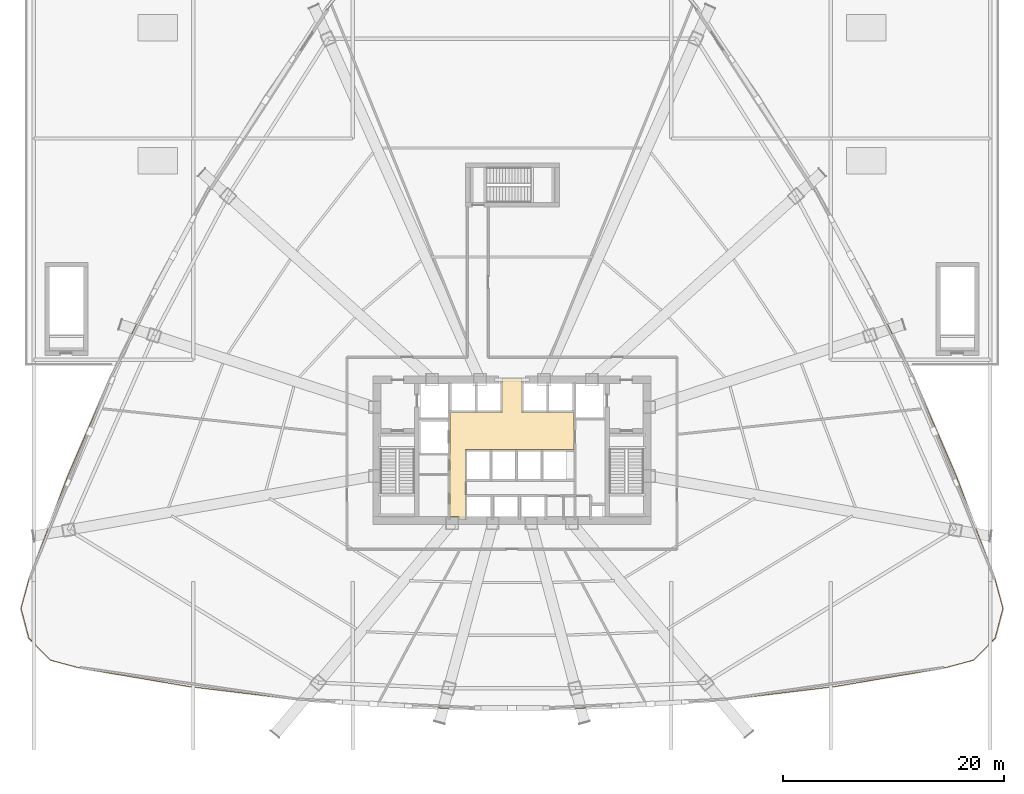
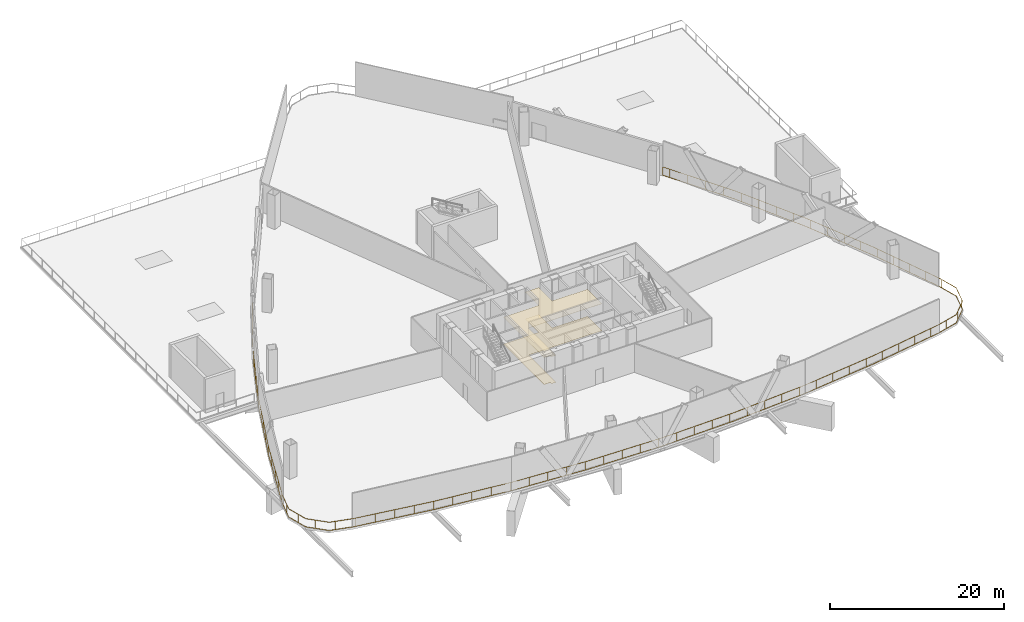
# One storey, part 14 of 18: 2 coverings, 1 railing.
"""IFC4 building model written with IfcOpenShell, lengths in metres."""

import ifcopenshell
import ifcopenshell.guid

model = None  # the IFC model being written
_history = None  # IfcOwnerHistory: only IFC2X3 demands one
_inside = {}  # id of a spatial element -> (the spatial element, [elements in it])
_under = {}  # id of a project, library or spatial element -> (it, [spatial elements below it])
_declared = {}  # id of a project -> (the project, [libraries it declares])
_typed = {}  # id of a type object -> (the type object, [elements of that type])
_made_of = {}  # id of a material, layer set ... -> (it, [elements and type objects made of it])


def new_model(schema):
    """Start an empty IFC model of exactly this schema.

    Asked for "IFC4X3", IfcOpenShell would pick the latest addendum, in which some entities
    have other attributes; the version numbers below select the first issue.
    IFC2X3 requires an IfcOwnerHistory on every rooted entity: one is made here for all.
    """
    global model, _history
    if schema == "IFC4X3":
        model = ifcopenshell.file(schema_version=(4, 3, 0, 0))
    else:
        model = ifcopenshell.file(schema=schema)
    _inside.clear()
    _under.clear()
    _declared.clear()
    _typed.clear()
    _made_of.clear()
    _history = None
    if model.schema == "IFC2X3":
        org = make("IfcOrganization", Name="unknown")
        user = make(
            "IfcPersonAndOrganization",
            ThePerson=make("IfcPerson", FamilyName="unknown"),
            TheOrganization=org,
        )
        app = make(
            "IfcApplication",
            ApplicationDeveloper=org,
            Version="unknown",
            ApplicationFullName="unknown",
            ApplicationIdentifier="unknown",
        )
        _history = make(
            "IfcOwnerHistory",
            OwningUser=user,
            OwningApplication=app,
            ChangeAction="ADDED",
            CreationDate=0,
        )
    return model


def make(cls, **values):
    """One entity of the class cls with the attributes given. An attribute that is None is left unset."""
    return model.create_entity(
        cls, **{name: value for name, value in values.items() if value is not None}
    )


def rooted(cls, **values):
    """An entity with a GlobalId (a new one), such as an element, a storey or a relation."""
    return make(cls, GlobalId=ifcopenshell.guid.new(), OwnerHistory=_history, **values)


def si_unit(unit_type, name, prefix=None):
    """IfcSIUnit, for example si_unit("LENGTHUNIT", "METRE", prefix="MILLI")."""
    return make("IfcSIUnit", UnitType=unit_type, Prefix=prefix, Name=name)


def assignment(units):
    """IfcUnitAssignment: the units of a project."""
    return None if units is None else make("IfcUnitAssignment", Units=units)


def point(xyz):
    """IfcCartesianPoint."""
    return None if xyz is None else make("IfcCartesianPoint", Coordinates=xyz)


def direction(xyz):
    """IfcDirection."""
    return None if xyz is None else make("IfcDirection", DirectionRatios=xyz)


def frame(location, z_axis=None, x_axis=None):
    """IfcAxis2Placement3D, a coordinate frame: its origin and axes. An axis left out is left unset."""
    return make(
        "IfcAxis2Placement3D",
        Location=point(location),
        Axis=direction(z_axis),
        RefDirection=direction(x_axis),
    )


def frame_2d(location, x_axis=None):
    """IfcAxis2Placement2D, a coordinate frame in the plane: its origin and x axis."""
    return make(
        "IfcAxis2Placement2D", Location=point(location), RefDirection=direction(x_axis)
    )


def origin():
    """The frame at (0, 0, 0) with its axes left unset."""
    return frame((0.0, 0.0, 0.0))


def origin_2d():
    """The frame at (0, 0) in the plane with its x axis left unset."""
    return frame_2d((0.0, 0.0))


def place(relative_to, where):
    """IfcLocalPlacement: puts the frame where relative to a parent placement (None: the world)."""
    return make(
        "IfcLocalPlacement", PlacementRelTo=relative_to, RelativePlacement=where
    )


def context(
    kind, dimensions, precision=None, world=None, true_north=None, identifier=None
):
    """IfcGeometricRepresentationContext, for example the 3D "Model" context."""
    return make(
        "IfcGeometricRepresentationContext",
        ContextIdentifier=identifier,
        ContextType=kind,
        CoordinateSpaceDimension=dimensions,
        Precision=precision,
        WorldCoordinateSystem=world,
        TrueNorth=true_north,
    )


def subcontext(parent, identifier, kind, view, scale=None):
    """IfcGeometricRepresentationSubContext, for example "Body" below "Model"."""
    return make(
        "IfcGeometricRepresentationSubContext",
        ContextIdentifier=identifier,
        ContextType=kind,
        ParentContext=parent,
        TargetScale=scale,
        TargetView=view,
    )


def project(units=None, contexts=None):
    """IfcProject with its units and contexts."""
    return rooted(
        "IfcProject",
        Name="project",
        RepresentationContexts=contexts,
        UnitsInContext=assignment(units),
    )


def spatial(cls, under=None, at=None, **own):
    """A site, building, storey or space (cls), placed at a placement, below another one or the project."""
    s = rooted(cls, ObjectPlacement=at, **own)
    if under is not None:
        _under.setdefault(under.id(), (under, []))[1].append(s)
    return s


def polyline(points):
    """IfcPolyline through the points."""
    return make("IfcPolyline", Points=[point(p) for p in points])


def profile(cls, at=None, kind="AREA", **sizes):
    """A parametric profile (cls). Its sizes go by their IFC names, for example OverallWidth=200.0."""
    return make(cls, ProfileType=kind, Position=at, **sizes)


def rectangle(**sizes):
    """IfcRectangleProfileDef."""
    return profile("IfcRectangleProfileDef", **sizes)


def outline(outer, holes=None, kind="AREA"):
    """IfcArbitraryClosedProfileDef: a profile drawn as a closed curve; with holes, ...WithVoids."""
    if holes is None:
        return make("IfcArbitraryClosedProfileDef", ProfileType=kind, OuterCurve=outer)
    return make(
        "IfcArbitraryProfileDefWithVoids",
        ProfileType=kind,
        OuterCurve=outer,
        InnerCurves=holes,
    )


def extrude(swept, where, along, depth):
    """IfcExtrudedAreaSolid: the profile swept, set in the frame where, extruded along a direction by depth."""
    return make(
        "IfcExtrudedAreaSolid",
        SweptArea=swept,
        Position=where,
        ExtrudedDirection=direction(along),
        Depth=depth,
    )


def shape(context_of_items, identifier, shape_type, items):
    """IfcShapeRepresentation: the items that make up one representation, for example the "Body"."""
    return make(
        "IfcShapeRepresentation",
        ContextOfItems=context_of_items,
        RepresentationIdentifier=identifier,
        RepresentationType=shape_type,
        Items=items,
    )


def material(Name=None, Category=None):
    """IfcMaterial."""
    return make("IfcMaterial", Name=Name, Category=Category)


def layer(
    of_material, thickness, ventilated=None, Name=None, Category=None, Priority=None
):
    """IfcMaterialLayer: one layer of a wall or slab, of a material (None: an air gap)."""
    return make(
        "IfcMaterialLayer",
        Material=of_material,
        LayerThickness=thickness,
        IsVentilated=ventilated,
        Name=Name,
        Category=Category,
        Priority=Priority,
    )


def layer_set(layers, Name=None):
    """IfcMaterialLayerSet."""
    return make("IfcMaterialLayerSet", MaterialLayers=layers, LayerSetName=Name)


def made_of(thing, what):
    """Note that an element or type object is made of a material, layer set ...; save() writes the relation."""
    if what is not None:
        _made_of.setdefault(what.id(), (what, []))[1].append(thing)
    return thing


def type_object(cls, material=None, **own):
    """A type object (cls), such as IfcWallType, which elements share."""
    return made_of(rooted(cls, **own), material)


def element(
    cls,
    number,
    at=None,
    inside=None,
    cuts=None,
    type_object=None,
    material=None,
    context=None,
    identifier="Body",
    shape_type=None,
    held_by="IfcProductDefinitionShape",
    body=None,
    shapes=None,
    **own,
):
    """One element of the class cls, such as IfcWall. Its Tag is "e" and its number.

    at: its placement. inside: the storey or other place that contains it. cuts: it is an
    opening in that element (IfcRelVoidsElement). A single representation is given by context,
    identifier, shape_type and body (its items); several are given by shapes. held_by: the class
    of the entity that holds the representations. save() writes the other relations.
    """
    e = rooted(cls, Tag="e%d" % number, ObjectPlacement=at, **own)
    if body is not None:
        shapes = [shape(context, identifier, shape_type, body)]
    if shapes is not None:
        e.Representation = make(held_by, Representations=shapes)
    if inside is not None:
        _inside.setdefault(inside.id(), (inside, []))[1].append(e)
    if cuts is not None:
        rooted(
            "IfcRelVoidsElement", RelatingBuildingElement=cuts, RelatedOpeningElement=e
        )
    if type_object is not None:
        _typed.setdefault(type_object.id(), (type_object, []))[1].append(e)
    return made_of(e, material)


def aggregate(whole, parts):
    """IfcRelAggregates: a whole, such as a stair, and the parts it consists of."""
    return rooted("IfcRelAggregates", RelatingObject=whole, RelatedObjects=parts)


def save(model, path):
    """Write the relations noted so far, then the file.

    IfcRelAggregates (storeys below a building ...), IfcRelContainedInSpatialStructure (elements
    in a storey), IfcRelDefinesByType, IfcRelAssociatesMaterial and IfcRelDeclares: one each for
    every whole, place, type object, material and project.
    """
    for whole, parts in _under.values():
        aggregate(whole, parts)
    for where, things in _inside.values():
        rooted(
            "IfcRelContainedInSpatialStructure",
            RelatedElements=things,
            RelatingStructure=where,
        )
    for kind, things in _typed.values():
        rooted("IfcRelDefinesByType", RelatedObjects=things, RelatingType=kind)
    for what, things in _made_of.values():
        rooted("IfcRelAssociatesMaterial", RelatedObjects=things, RelatingMaterial=what)
    for by, libraries in _declared.values():
        rooted("IfcRelDeclares", RelatingContext=by, RelatedDefinitions=libraries)
    model.write(path)


model = new_model("IFC4")

# Units and contexts
model_context = context("Model", 3, precision=1e-05, world=origin(), true_north=direction((0.0, 1.0)))
body_context = subcontext(model_context, "Body", "Model", "MODEL_VIEW")
ifc_project = project(units=[si_unit("LENGTHUNIT", "METRE"), si_unit("AREAUNIT", "SQUARE_METRE"), si_unit("VOLUMEUNIT", "CUBIC_METRE"), si_unit("PLANEANGLEUNIT", "RADIAN"), si_unit("MASSUNIT", "GRAM", prefix="KILO"), si_unit("THERMODYNAMICTEMPERATUREUNIT", "KELVIN"), si_unit("POWERUNIT", "WATT")], contexts=[model_context])

# Site, building, storey
site_placement = place(None, origin())
site = spatial("IfcSite", under=ifc_project, at=site_placement, CompositionType="ELEMENT")
building_placement = place(site_placement, origin())
building = spatial("IfcBuilding", under=site, at=building_placement, Name="Yunzhuo Pagoda Commons", CompositionType="ELEMENT")
storey_placement = place(building_placement, frame((0.0, 0.0, 25.39990234375)))
storey = spatial("IfcBuildingStorey", under=building, at=storey_placement, Name="L06", CompositionType="ELEMENT", Elevation=25.39990234375)

# Coverings
ifc_material_1 = material(Name="Mineral fibre acoustic ceiling board")
ifc_layer_1 = layer(ifc_material_1, 0.02490234375)
ifc_layer_set_1 = layer_set([ifc_layer_1], Name="Mineral fibre acoustic ceiling board")
covering_type_1 = type_object("IfcCoveringType", Name="COV-CL1 Ceiling 25", PredefinedType="CEILING", material=ifc_layer_set_1)
covering_1_placement = place(storey_placement, frame((0.0, 0.0, 3.7900390625)))
element("IfcCovering", 1, at=covering_1_placement, inside=storey, type_object=covering_type_1, Name="L06 lift lobby acoustic ceiling", PredefinedType="CEILING", context=body_context, shape_type="SweptSolid", body=[
    extrude(outline(polyline([(43.207763671875, 27.85009765625), (43.201904296875, 27.864013671875), (43.187744140625, 27.8701171875), (42.39990234375, 27.8701171875), (42.39990234375, 33.89990234375), (42.39990234375, 37.25), (47.10009765625, 37.25), (47.10009765625, 40.35009765625), (48.89990234375, 40.35009765625), (48.89990234375, 37.25), (53.580078125, 37.25), (53.580078125, 33.89990234375), (43.820068359375, 33.89990234375), (43.820068359375, 27.60009765625), (43.207763671875, 27.60009765625), (43.207763671875, 27.85009765625)])), origin(), (0.0, 0.0, 1.0), 0.025146484375),
])
ifc_material_2 = material(Name="Porcelain ceramic floor tile")
ifc_layer_2 = layer(ifc_material_2, 0.02001953125)
ifc_layer_set_2 = layer_set([ifc_layer_2], Name="Porcelain ceramic floor tile")
covering_type_2 = type_object("IfcCoveringType", Name="COV-FL1 Flooring 20", PredefinedType="FLOORING", material=ifc_layer_set_2)
covering_2_placement = place(storey_placement, origin())
element("IfcCovering", 2, at=covering_2_placement, inside=storey, type_object=covering_type_2, Name="L06 lift lobby flooring", PredefinedType="FLOORING", context=body_context, shape_type="SweptSolid", body=[
    extrude(outline(polyline([(43.207763671875, 27.85009765625), (43.201904296875, 27.864013671875), (43.187744140625, 27.8701171875), (42.39990234375, 27.8701171875), (42.39990234375, 33.89990234375), (42.39990234375, 37.25), (47.10009765625, 37.25), (47.10009765625, 40.35009765625), (48.89990234375, 40.35009765625), (48.89990234375, 37.25), (53.580078125, 37.25), (53.580078125, 33.89990234375), (43.820068359375, 33.89990234375), (43.820068359375, 27.60009765625), (43.207763671875, 27.60009765625), (43.207763671875, 27.85009765625)])), origin(), (0.0, 0.0, 1.0), 0.02001953125),
])

# Railing
ifc_material_3 = material(Name="Anodized aluminium 6063-T6", Category="aluminium")
railing_type = type_object("IfcRailingType", Name="RL-PRT1 Wind Portal & Refuge Guardrail 1200", PredefinedType="GUARDRAIL", material=ifc_material_3)
railing_placement = place(storey_placement, frame((20.7666015625, 57.429443359375, 0.0)))
element("IfcRailing", 3, at=railing_placement, inside=storey, type_object=railing_type, Name="L06 refuge south perimeter guardrail", PredefinedType="GUARDRAIL", context=body_context, shape_type="SweptSolid", body=[
    extrude(rectangle(XDim=0.048095703125, YDim=0.048095703125, at=origin_2d()), frame((0.0, 0.0, 1.17578125), z_axis=(-0.498961568844, -0.86662411276, 0.0), x_axis=(0.86662411276, -0.498961568844, 0.0)), (0.0, 0.0, 1.0), 9.65966796875),
    extrude(rectangle(XDim=0.048095703125, YDim=0.048095703125, at=origin_2d()), frame((0.0, 0.0, 0.02392578125), z_axis=(-0.498961568844, -0.86662411276, 0.0), x_axis=(0.86662411276, -0.498961568844, 0.0)), (0.0, 0.0, 1.0), 9.65966796875),
    extrude(rectangle(XDim=0.048095703125, YDim=0.048095703125, at=origin_2d()), frame((-4.81982421875, -8.371337890625, 1.17578125), z_axis=(-0.439733372113, -0.898128365798, 0.0), x_axis=(0.898128365798, -0.439733372113, 0.0)), (0.0, 0.0, 1.0), 9.68115234375),
    extrude(rectangle(XDim=0.048095703125, YDim=0.048095703125, at=origin_2d()), frame((-4.81982421875, -8.371337890625, 0.02392578125), z_axis=(-0.439733372113, -0.898128365798, 0.0), x_axis=(0.898128365798, -0.439733372113, 0.0)), (0.0, 0.0, 1.0), 9.68115234375),
    extrude(rectangle(XDim=0.048095703125, YDim=0.048095703125, at=origin_2d()), frame((-9.076904296875, -17.066162109375, 1.17578125), z_axis=(-0.39599530775, -0.918252534023, 0.0), x_axis=(0.918252534023, -0.39599530775, 0.0)), (0.0, 0.0, 1.0), 9.73193359375),
    extrude(rectangle(XDim=0.048095703125, YDim=0.048095703125, at=origin_2d()), frame((-9.076904296875, -17.066162109375, 0.02392578125), z_axis=(-0.39599530775, -0.918252534023, 0.0), x_axis=(0.918252534023, -0.39599530775, 0.0)), (0.0, 0.0, 1.0), 9.73193359375),
    extrude(rectangle(XDim=0.048095703125, YDim=0.048095703125, at=origin_2d()), frame((-12.9306640625, -26.00244140625, 1.17578125), z_axis=(-0.35164182274, -0.936134620928, 0.0), x_axis=(0.936134620928, -0.35164182274, 0.0)), (0.0, 0.0, 1.0), 9.805419921875),
    extrude(rectangle(XDim=0.048095703125, YDim=0.048095703125, at=origin_2d()), frame((-12.9306640625, -26.00244140625, 0.02392578125), z_axis=(-0.35164182274, -0.936134620928, 0.0), x_axis=(0.936134620928, -0.35164182274, 0.0)), (0.0, 0.0, 1.0), 9.805419921875),
    extrude(rectangle(XDim=0.048095703125, YDim=0.048095703125, at=origin_2d()), frame((-16.378662109375, -35.181640625, 1.17578125), z_axis=(-0.263774666409, -0.96458432776, 0.0), x_axis=(0.96458432776, -0.263774666409, 0.0)), (0.0, 0.0, 1.0), 2.797119140625),
    extrude(rectangle(XDim=0.048095703125, YDim=0.048095703125, at=origin_2d()), frame((-16.378662109375, -35.181640625, 0.02392578125), z_axis=(-0.263774666409, -0.96458432776, 0.0), x_axis=(0.96458432776, -0.263774666409, 0.0)), (0.0, 0.0, 1.0), 2.797119140625),
    extrude(rectangle(XDim=0.048095703125, YDim=0.048095703125, at=origin_2d()), frame((-17.116455078125, -37.879638671875, 1.17578125), z_axis=(0.255786944934, -0.966733178701, 0.0), x_axis=(0.966733178701, 0.255786944934, 0.0)), (0.0, 0.0, 1.0), 2.795654296875),
    extrude(rectangle(XDim=0.048095703125, YDim=0.048095703125, at=origin_2d()), frame((-17.116455078125, -37.879638671875, 0.02392578125), z_axis=(0.255786944934, -0.966733178701, 0.0), x_axis=(0.966733178701, 0.255786944934, 0.0)), (0.0, 0.0, 1.0), 2.795654296875),
    extrude(rectangle(XDim=0.048095703125, YDim=0.048095703125, at=origin_2d()), frame((-16.4013671875, -40.582275390625, 1.17578125), z_axis=(0.706364229045, -0.707848554372, 0.0), x_axis=(0.707848554372, 0.706364229045, 0.0)), (0.0, 0.0, 1.0), 2.796142578125),
    extrude(rectangle(XDim=0.048095703125, YDim=0.048095703125, at=origin_2d()), frame((-16.4013671875, -40.582275390625, 0.02392578125), z_axis=(0.706364229045, -0.707848554372, 0.0), x_axis=(0.707848554372, 0.706364229045, 0.0)), (0.0, 0.0, 1.0), 2.796142578125),
    extrude(rectangle(XDim=0.048095703125, YDim=0.048095703125, at=origin_2d()), frame((-14.42626953125, -42.5615234375, 1.17578125), z_axis=(0.966068241472, -0.258286958284, 0.0), x_axis=(0.258286958284, 0.966068241472, 0.0)), (0.0, 0.0, 1.0), 2.798828125),
    extrude(rectangle(XDim=0.048095703125, YDim=0.048095703125, at=origin_2d()), frame((-14.42626953125, -42.5615234375, 0.02392578125), z_axis=(0.966068241472, -0.258286958284, 0.0), x_axis=(0.258286958284, 0.966068241472, 0.0)), (0.0, 0.0, 1.0), 2.798828125),
    extrude(rectangle(XDim=0.048095703125, YDim=0.048095703125, at=origin_2d()), frame((-11.722412109375, -43.284423828125, 1.17578125), z_axis=(0.98601104361, -0.166679998435, 0.0), x_axis=(0.166679998435, 0.98601104361, 0.0)), (0.0, 0.0, 1.0), 9.891357421875),
    extrude(rectangle(XDim=0.048095703125, YDim=0.048095703125, at=origin_2d()), frame((-11.722412109375, -43.284423828125, 0.02392578125), z_axis=(0.98601104361, -0.166679998435, 0.0), x_axis=(0.166679998435, 0.98601104361, 0.0)), (0.0, 0.0, 1.0), 9.891357421875),
    extrude(rectangle(XDim=0.048095703125, YDim=0.048095703125, at=origin_2d()), frame((-1.969482421875, -44.93310546875, 1.17578125), z_axis=(0.99286035277, -0.11928252134, 0.0), x_axis=(0.11928252134, 0.99286035277, 0.0)), (0.0, 0.0, 1.0), 9.816162109375),
    extrude(rectangle(XDim=0.048095703125, YDim=0.048095703125, at=origin_2d()), frame((-1.969482421875, -44.93310546875, 0.02392578125), z_axis=(0.99286035277, -0.11928252134, 0.0), x_axis=(0.11928252134, 0.99286035277, 0.0)), (0.0, 0.0, 1.0), 9.816162109375),
    extrude(rectangle(XDim=0.048095703125, YDim=0.048095703125, at=origin_2d()), frame((7.776611328125, -46.10400390625, 1.17578125), z_axis=(0.997455142954, -0.071296828788, 0.0), x_axis=(0.071296828788, 0.997455142954, 0.0)), (0.0, 0.0, 1.0), 9.75927734375),
    extrude(rectangle(XDim=0.048095703125, YDim=0.048095703125, at=origin_2d()), frame((7.776611328125, -46.10400390625, 0.02392578125), z_axis=(0.997455142954, -0.071296828788, 0.0), x_axis=(0.071296828788, 0.997455142954, 0.0)), (0.0, 0.0, 1.0), 9.75927734375),
    extrude(rectangle(XDim=0.048095703125, YDim=0.048095703125, at=origin_2d()), frame((17.510986328125, -46.7998046875, 1.17578125), z_axis=(0.999720938784, -0.023622966713, 0.0), x_axis=(0.023622966713, 0.999720938784, 0.0)), (0.0, 0.0, 1.0), 9.72509765625),
    extrude(rectangle(XDim=0.048095703125, YDim=0.048095703125, at=origin_2d()), frame((17.510986328125, -46.7998046875, 0.02392578125), z_axis=(0.999720938784, -0.023622966713, 0.0), x_axis=(0.023622966713, 0.999720938784, 0.0)), (0.0, 0.0, 1.0), 9.72509765625),
    extrude(rectangle(XDim=0.048095703125, YDim=0.048095703125, at=origin_2d()), frame((27.2333984375, -47.029541015625, 1.17578125), z_axis=(0.999720938784, 0.023622966713, 0.0), x_axis=(-0.023622966713, 0.999720938784, 0.0)), (0.0, 0.0, 1.0), 9.72509765625),
    extrude(rectangle(XDim=0.048095703125, YDim=0.048095703125, at=origin_2d()), frame((27.2333984375, -47.029541015625, 0.02392578125), z_axis=(0.999720938784, 0.023622966713, 0.0), x_axis=(-0.023622966713, 0.999720938784, 0.0)), (0.0, 0.0, 1.0), 9.72509765625),
    extrude(rectangle(XDim=0.048095703125, YDim=0.048095703125, at=origin_2d()), frame((36.955810546875, -46.7998046875, 1.17578125), z_axis=(0.997455270113, 0.071295049779, 0.0), x_axis=(-0.071295049779, 0.997455270113, 0.0)), (0.0, 0.0, 1.0), 9.759521484375),
    extrude(rectangle(XDim=0.048095703125, YDim=0.048095703125, at=origin_2d()), frame((36.955810546875, -46.7998046875, 0.02392578125), z_axis=(0.997455270113, 0.071295049779, 0.0), x_axis=(-0.071295049779, 0.997455270113, 0.0)), (0.0, 0.0, 1.0), 9.759521484375),
    extrude(rectangle(XDim=0.048095703125, YDim=0.048095703125, at=origin_2d()), frame((46.6904296875, -46.10400390625, 1.17578125), z_axis=(0.992859998881, 0.119285466936, 0.0), x_axis=(-0.119285466936, 0.992859998881, 0.0)), (0.0, 0.0, 1.0), 9.81591796875),
    extrude(rectangle(XDim=0.048095703125, YDim=0.048095703125, at=origin_2d()), frame((46.6904296875, -46.10400390625, 0.02392578125), z_axis=(0.992859998881, 0.119285466936, 0.0), x_axis=(-0.119285466936, 0.992859998881, 0.0)), (0.0, 0.0, 1.0), 9.81591796875),
    extrude(rectangle(XDim=0.048095703125, YDim=0.048095703125, at=origin_2d()), frame((56.436279296875, -44.93310546875, 1.17578125), z_axis=(0.98601104361, 0.166679998435, 0.0), x_axis=(-0.166679998435, 0.98601104361, 0.0)), (0.0, 0.0, 1.0), 9.891357421875),
    extrude(rectangle(XDim=0.048095703125, YDim=0.048095703125, at=origin_2d()), frame((56.436279296875, -44.93310546875, 0.02392578125), z_axis=(0.98601104361, 0.166679998435, 0.0), x_axis=(-0.166679998435, 0.98601104361, 0.0)), (0.0, 0.0, 1.0), 9.891357421875),
    extrude(rectangle(XDim=0.048095703125, YDim=0.048095703125, at=origin_2d()), frame((66.189208984375, -43.284423828125, 1.17578125), z_axis=(0.966068241472, 0.258286958284, 0.0), x_axis=(-0.258286958284, 0.966068241472, 0.0)), (0.0, 0.0, 1.0), 2.798828125),
    extrude(rectangle(XDim=0.048095703125, YDim=0.048095703125, at=origin_2d()), frame((66.189208984375, -43.284423828125, 0.02392578125), z_axis=(0.966068241472, 0.258286958284, 0.0), x_axis=(-0.258286958284, 0.966068241472, 0.0)), (0.0, 0.0, 1.0), 2.798828125),
    extrude(rectangle(XDim=0.048095703125, YDim=0.048095703125, at=origin_2d()), frame((68.89306640625, -42.5615234375, 1.17578125), z_axis=(0.706364229045, 0.707848554372, 0.0), x_axis=(-0.707848554372, 0.706364229045, 0.0)), (0.0, 0.0, 1.0), 2.796142578125),
    extrude(rectangle(XDim=0.048095703125, YDim=0.048095703125, at=origin_2d()), frame((68.89306640625, -42.5615234375, 0.02392578125), z_axis=(0.706364229045, 0.707848554372, 0.0), x_axis=(-0.707848554372, 0.706364229045, 0.0)), (0.0, 0.0, 1.0), 2.796142578125),
    extrude(rectangle(XDim=0.048095703125, YDim=0.048095703125, at=origin_2d()), frame((70.8681640625, -40.582275390625, 1.17578125), z_axis=(0.255786944934, 0.966733178701, 0.0), x_axis=(-0.966733178701, 0.255786944934, 0.0)), (0.0, 0.0, 1.0), 2.795654296875),
    extrude(rectangle(XDim=0.048095703125, YDim=0.048095703125, at=origin_2d()), frame((70.8681640625, -40.582275390625, 0.02392578125), z_axis=(0.255786944934, 0.966733178701, 0.0), x_axis=(-0.966733178701, 0.255786944934, 0.0)), (0.0, 0.0, 1.0), 2.795654296875),
    extrude(rectangle(XDim=0.048095703125, YDim=0.048095703125, at=origin_2d()), frame((71.583251953125, -37.879638671875, 1.17578125), z_axis=(-0.263774666409, 0.96458432776, 0.0), x_axis=(-0.96458432776, -0.263774666409, 0.0)), (0.0, 0.0, 1.0), 2.797119140625),
    extrude(rectangle(XDim=0.048095703125, YDim=0.048095703125, at=origin_2d()), frame((71.583251953125, -37.879638671875, 0.02392578125), z_axis=(-0.263774666409, 0.96458432776, 0.0), x_axis=(-0.96458432776, -0.263774666409, 0.0)), (0.0, 0.0, 1.0), 2.797119140625),
    extrude(rectangle(XDim=0.048095703125, YDim=0.048095703125, at=origin_2d()), frame((70.845458984375, -35.181640625, 1.17578125), z_axis=(-0.35164182274, 0.936134620928, 0.0), x_axis=(-0.936134620928, -0.35164182274, 0.0)), (0.0, 0.0, 1.0), 9.805419921875),
    extrude(rectangle(XDim=0.048095703125, YDim=0.048095703125, at=origin_2d()), frame((70.845458984375, -35.181640625, 0.02392578125), z_axis=(-0.35164182274, 0.936134620928, 0.0), x_axis=(-0.936134620928, -0.35164182274, 0.0)), (0.0, 0.0, 1.0), 9.805419921875),
    extrude(rectangle(XDim=0.048095703125, YDim=0.048095703125, at=origin_2d()), frame((67.3974609375, -26.00244140625, 1.17578125), z_axis=(-0.39599530775, 0.918252534023, 0.0), x_axis=(-0.918252534023, -0.39599530775, 0.0)), (0.0, 0.0, 1.0), 9.73193359375),
    extrude(rectangle(XDim=0.048095703125, YDim=0.048095703125, at=origin_2d()), frame((67.3974609375, -26.00244140625, 0.02392578125), z_axis=(-0.39599530775, 0.918252534023, 0.0), x_axis=(-0.918252534023, -0.39599530775, 0.0)), (0.0, 0.0, 1.0), 9.73193359375),
    extrude(rectangle(XDim=0.048095703125, YDim=0.048095703125, at=origin_2d()), frame((63.543701171875, -17.066162109375, 1.17578125), z_axis=(-0.439733372113, 0.898128365798, 0.0), x_axis=(-0.898128365798, -0.439733372113, 0.0)), (0.0, 0.0, 1.0), 9.68115234375),
    extrude(rectangle(XDim=0.048095703125, YDim=0.048095703125, at=origin_2d()), frame((63.543701171875, -17.066162109375, 0.02392578125), z_axis=(-0.439733372113, 0.898128365798, 0.0), x_axis=(-0.898128365798, -0.439733372113, 0.0)), (0.0, 0.0, 1.0), 9.68115234375),
    extrude(rectangle(XDim=0.048095703125, YDim=0.048095703125, at=origin_2d()), frame((59.28662109375, -8.371337890625, 1.17578125), z_axis=(-0.498961568844, 0.86662411276, 0.0), x_axis=(-0.86662411276, -0.498961568844, 0.0)), (0.0, 0.0, 1.0), 9.65966796875),
    extrude(rectangle(XDim=0.048095703125, YDim=0.048095703125, at=origin_2d()), frame((59.28662109375, -8.371337890625, 0.02392578125), z_axis=(-0.498961568844, 0.86662411276, 0.0), x_axis=(-0.86662411276, -0.498961568844, 0.0)), (0.0, 0.0, 1.0), 9.65966796875),
    extrude(rectangle(XDim=0.0419921875, YDim=0.0419921875, at=origin_2d()), origin(), (0.0, 0.0, 1.0), 1.15185546875),
    extrude(rectangle(XDim=0.0419921875, YDim=0.0419921875, at=origin_2d()), frame((-1.197509765625, -2.079833984375, 0.0)), (0.0, 0.0, 1.0), 1.15185546875),
    extrude(rectangle(XDim=0.0419921875, YDim=0.0419921875, at=origin_2d()), frame((-2.39501953125, -4.159912109375, 0.0)), (0.0, 0.0, 1.0), 1.15185546875),
    extrude(rectangle(XDim=0.0419921875, YDim=0.0419921875, at=origin_2d()), frame((-3.592529296875, -6.23974609375, 0.0)), (0.0, 0.0, 1.0), 1.15185546875),
    extrude(rectangle(XDim=0.0419921875, YDim=0.0419921875, at=origin_2d()), frame((-5.848876953125, -10.47314453125, 0.0)), (0.0, 0.0, 1.0), 1.15185546875),
    extrude(rectangle(XDim=0.0419921875, YDim=0.0419921875, at=origin_2d()), frame((-6.904296875, -12.628662109375, 0.0)), (0.0, 0.0, 1.0), 1.15185546875),
    extrude(rectangle(XDim=0.0419921875, YDim=0.0419921875, at=origin_2d()), frame((-7.959716796875, -14.7841796875, 0.0)), (0.0, 0.0, 1.0), 1.15185546875),
    extrude(rectangle(XDim=0.0419921875, YDim=0.0419921875, at=origin_2d()), frame((-9.971435546875, -19.140625, 0.0)), (0.0, 0.0, 1.0), 1.15185546875),
    extrude(rectangle(XDim=0.0419921875, YDim=0.0419921875, at=origin_2d()), frame((-10.921875, -21.344482421875, 0.0)), (0.0, 0.0, 1.0), 1.15185546875),
    extrude(rectangle(XDim=0.0419921875, YDim=0.0419921875, at=origin_2d()), frame((-11.872314453125, -23.54833984375, 0.0)), (0.0, 0.0, 1.0), 1.15185546875),
    extrude(rectangle(XDim=0.0419921875, YDim=0.0419921875, at=origin_2d()), frame((-12.82275390625, -25.752197265625, 0.0)), (0.0, 0.0, 1.0), 1.15185546875),
    extrude(rectangle(XDim=0.0419921875, YDim=0.0419921875, at=origin_2d()), frame((-13.6787109375, -27.993896484375, 0.0)), (0.0, 0.0, 1.0), 1.15185546875),
    extrude(rectangle(XDim=0.0419921875, YDim=0.0419921875, at=origin_2d()), frame((-14.522705078125, -30.24072265625, 0.0)), (0.0, 0.0, 1.0), 1.15185546875),
    extrude(rectangle(XDim=0.0419921875, YDim=0.0419921875, at=origin_2d()), frame((-15.36669921875, -32.487548828125, 0.0)), (0.0, 0.0, 1.0), 1.15185546875),
    extrude(rectangle(XDim=0.0419921875, YDim=0.0419921875, at=origin_2d()), frame((-16.21044921875, -34.734130859375, 0.0)), (0.0, 0.0, 1.0), 1.15185546875),
    extrude(rectangle(XDim=0.0419921875, YDim=0.0419921875, at=origin_2d()), frame((-16.8857421875, -37.03564453125, 0.0)), (0.0, 0.0, 1.0), 1.15185546875),
    extrude(rectangle(XDim=0.0419921875, YDim=0.0419921875, at=origin_2d()), frame((-16.726318359375, -39.353759765625, 0.0)), (0.0, 0.0, 1.0), 1.15185546875),
    extrude(rectangle(XDim=0.0419921875, YDim=0.0419921875, at=origin_2d()), frame((-15.603759765625, -41.381591796875, 0.0)), (0.0, 0.0, 1.0), 1.15185546875),
    extrude(rectangle(XDim=0.0419921875, YDim=0.0419921875, at=origin_2d()), frame((-13.718017578125, -42.7509765625, 0.0)), (0.0, 0.0, 1.0), 1.15185546875),
    extrude(rectangle(XDim=0.0419921875, YDim=0.0419921875, at=origin_2d()), frame((-11.392822265625, -43.340087890625, 0.0)), (0.0, 0.0, 1.0), 1.15185546875),
    extrude(rectangle(XDim=0.0419921875, YDim=0.0419921875, at=origin_2d()), frame((-9.0263671875, -43.740234375, 0.0)), (0.0, 0.0, 1.0), 1.15185546875),
    extrude(rectangle(XDim=0.0419921875, YDim=0.0419921875, at=origin_2d()), frame((-6.659912109375, -44.14013671875, 0.0)), (0.0, 0.0, 1.0), 1.15185546875),
    extrude(rectangle(XDim=0.0419921875, YDim=0.0419921875, at=origin_2d()), frame((-4.29345703125, -44.540283203125, 0.0)), (0.0, 0.0, 1.0), 1.15185546875),
    extrude(rectangle(XDim=0.0419921875, YDim=0.0419921875, at=origin_2d()), frame((-1.9267578125, -44.938232421875, 0.0)), (0.0, 0.0, 1.0), 1.15185546875),
    extrude(rectangle(XDim=0.0419921875, YDim=0.0419921875, at=origin_2d()), frame((0.4560546875, -45.224609375, 0.0)), (0.0, 0.0, 1.0), 1.15185546875),
    extrude(rectangle(XDim=0.0419921875, YDim=0.0419921875, at=origin_2d()), frame((2.8388671875, -45.5107421875, 0.0)), (0.0, 0.0, 1.0), 1.15185546875),
    extrude(rectangle(XDim=0.0419921875, YDim=0.0419921875, at=origin_2d()), frame((5.221923828125, -45.797119140625, 0.0)), (0.0, 0.0, 1.0), 1.15185546875),
    extrude(rectangle(XDim=0.0419921875, YDim=0.0419921875, at=origin_2d()), frame((7.604736328125, -46.083251953125, 0.0)), (0.0, 0.0, 1.0), 1.15185546875),
    extrude(rectangle(XDim=0.0419921875, YDim=0.0419921875, at=origin_2d()), frame((9.997802734375, -46.2626953125, 0.0)), (0.0, 0.0, 1.0), 1.15185546875),
    extrude(rectangle(XDim=0.0419921875, YDim=0.0419921875, at=origin_2d()), frame((12.3916015625, -46.433837890625, 0.0)), (0.0, 0.0, 1.0), 1.15185546875),
    extrude(rectangle(XDim=0.0419921875, YDim=0.0419921875, at=origin_2d()), frame((14.78564453125, -46.60498046875, 0.0)), (0.0, 0.0, 1.0), 1.15185546875),
    extrude(rectangle(XDim=0.0419921875, YDim=0.0419921875, at=origin_2d()), frame((17.179443359375, -46.776123046875, 0.0)), (0.0, 0.0, 1.0), 1.15185546875),
    extrude(rectangle(XDim=0.0419921875, YDim=0.0419921875, at=origin_2d()), frame((19.578125, -46.8486328125, 0.0)), (0.0, 0.0, 1.0), 1.15185546875),
    extrude(rectangle(XDim=0.0419921875, YDim=0.0419921875, at=origin_2d()), frame((21.977294921875, -46.9052734375, 0.0)), (0.0, 0.0, 1.0), 1.15185546875),
    extrude(rectangle(XDim=0.0419921875, YDim=0.0419921875, at=origin_2d()), frame((24.376708984375, -46.962158203125, 0.0)), (0.0, 0.0, 1.0), 1.15185546875),
    extrude(rectangle(XDim=0.0419921875, YDim=0.0419921875, at=origin_2d()), frame((26.776123046875, -47.018798828125, 0.0)), (0.0, 0.0, 1.0), 1.15185546875),
    extrude(rectangle(XDim=0.0419921875, YDim=0.0419921875, at=origin_2d()), frame((29.17529296875, -46.983642578125, 0.0)), (0.0, 0.0, 1.0), 1.15185546875),
    extrude(rectangle(XDim=0.0419921875, YDim=0.0419921875, at=origin_2d()), frame((31.57470703125, -46.927001953125, 0.0)), (0.0, 0.0, 1.0), 1.15185546875),
    extrude(rectangle(XDim=0.0419921875, YDim=0.0419921875, at=origin_2d()), frame((33.97412109375, -46.870361328125, 0.0)), (0.0, 0.0, 1.0), 1.15185546875),
    extrude(rectangle(XDim=0.0419921875, YDim=0.0419921875, at=origin_2d()), frame((36.373291015625, -46.8134765625, 0.0)), (0.0, 0.0, 1.0), 1.15185546875),
    extrude(rectangle(XDim=0.0419921875, YDim=0.0419921875, at=origin_2d()), frame((38.7685546875, -46.670166015625, 0.0)), (0.0, 0.0, 1.0), 1.15185546875),
    extrude(rectangle(XDim=0.0419921875, YDim=0.0419921875, at=origin_2d()), frame((41.162353515625, -46.4990234375, 0.0)), (0.0, 0.0, 1.0), 1.15185546875),
    extrude(rectangle(XDim=0.0419921875, YDim=0.0419921875, at=origin_2d()), frame((43.556396484375, -46.328125, 0.0)), (0.0, 0.0, 1.0), 1.15185546875),
    extrude(rectangle(XDim=0.0419921875, YDim=0.0419921875, at=origin_2d()), frame((45.9501953125, -46.156982421875, 0.0)), (0.0, 0.0, 1.0), 1.15185546875),
    extrude(rectangle(XDim=0.0419921875, YDim=0.0419921875, at=origin_2d()), frame((48.33642578125, -45.90625, 0.0)), (0.0, 0.0, 1.0), 1.15185546875),
    extrude(rectangle(XDim=0.0419921875, YDim=0.0419921875, at=origin_2d()), frame((50.719482421875, -45.619873046875, 0.0)), (0.0, 0.0, 1.0), 1.15185546875),
    extrude(rectangle(XDim=0.0419921875, YDim=0.0419921875, at=origin_2d()), frame((53.102294921875, -45.333740234375, 0.0)), (0.0, 0.0, 1.0), 1.15185546875),
    extrude(rectangle(XDim=0.0419921875, YDim=0.0419921875, at=origin_2d()), frame((55.485107421875, -45.04736328125, 0.0)), (0.0, 0.0, 1.0), 1.15185546875),
    extrude(rectangle(XDim=0.0419921875, YDim=0.0419921875, at=origin_2d()), frame((57.858154296875, -44.69287109375, 0.0)), (0.0, 0.0, 1.0), 1.15185546875),
    extrude(rectangle(XDim=0.0419921875, YDim=0.0419921875, at=origin_2d()), frame((60.224609375, -44.292724609375, 0.0)), (0.0, 0.0, 1.0), 1.15185546875),
    extrude(rectangle(XDim=0.0419921875, YDim=0.0419921875, at=origin_2d()), frame((62.591064453125, -43.892578125, 0.0)), (0.0, 0.0, 1.0), 1.15185546875),
    extrude(rectangle(XDim=0.0419921875, YDim=0.0419921875, at=origin_2d()), frame((64.957275390625, -43.49267578125, 0.0)), (0.0, 0.0, 1.0), 1.15185546875),
    extrude(rectangle(XDim=0.0419921875, YDim=0.0419921875, at=origin_2d()), frame((67.30078125, -42.9873046875, 0.0)), (0.0, 0.0, 1.0), 1.15185546875),
    extrude(rectangle(XDim=0.0419921875, YDim=0.0419921875, at=origin_2d()), frame((69.424072265625, -42.029296875, 0.0)), (0.0, 0.0, 1.0), 1.15185546875),
    extrude(rectangle(XDim=0.0419921875, YDim=0.0419921875, at=origin_2d()), frame((70.959228515625, -40.23828125, 0.0)), (0.0, 0.0, 1.0), 1.15185546875),
    extrude(rectangle(XDim=0.0419921875, YDim=0.0419921875, at=origin_2d()), frame((70.960693359375, -35.60302734375, 0.0)), (0.0, 0.0, 1.0), 1.15185546875),
    extrude(rectangle(XDim=0.0419921875, YDim=0.0419921875, at=origin_2d()), frame((70.1552734375, -33.343994140625, 0.0)), (0.0, 0.0, 1.0), 1.15185546875),
    extrude(rectangle(XDim=0.0419921875, YDim=0.0419921875, at=origin_2d()), frame((69.311279296875, -31.09716796875, 0.0)), (0.0, 0.0, 1.0), 1.15185546875),
    extrude(rectangle(XDim=0.0419921875, YDim=0.0419921875, at=origin_2d()), frame((68.46728515625, -28.8505859375, 0.0)), (0.0, 0.0, 1.0), 1.15185546875),
    extrude(rectangle(XDim=0.0419921875, YDim=0.0419921875, at=origin_2d()), frame((67.623291015625, -26.603759765625, 0.0)), (0.0, 0.0, 1.0), 1.15185546875),
    extrude(rectangle(XDim=0.0419921875, YDim=0.0419921875, at=origin_2d()), frame((66.701416015625, -24.388427734375, 0.0)), (0.0, 0.0, 1.0), 1.15185546875),
    extrude(rectangle(XDim=0.0419921875, YDim=0.0419921875, at=origin_2d()), frame((65.7509765625, -22.184814453125, 0.0)), (0.0, 0.0, 1.0), 1.15185546875),
    extrude(rectangle(XDim=0.0419921875, YDim=0.0419921875, at=origin_2d()), frame((64.80078125, -19.98095703125, 0.0)), (0.0, 0.0, 1.0), 1.15185546875),
    extrude(rectangle(XDim=0.0419921875, YDim=0.0419921875, at=origin_2d()), frame((63.850341796875, -17.777099609375, 0.0)), (0.0, 0.0, 1.0), 1.15185546875),
    extrude(rectangle(XDim=0.0419921875, YDim=0.0419921875, at=origin_2d()), frame((62.828857421875, -15.60595703125, 0.0)), (0.0, 0.0, 1.0), 1.15185546875),
    extrude(rectangle(XDim=0.0419921875, YDim=0.0419921875, at=origin_2d()), frame((61.7734375, -13.450439453125, 0.0)), (0.0, 0.0, 1.0), 1.15185546875),
    extrude(rectangle(XDim=0.0419921875, YDim=0.0419921875, at=origin_2d()), frame((60.718017578125, -11.294921875, 0.0)), (0.0, 0.0, 1.0), 1.15185546875),
    extrude(rectangle(XDim=0.0419921875, YDim=0.0419921875, at=origin_2d()), frame((59.662841796875, -9.139404296875, 0.0)), (0.0, 0.0, 1.0), 1.15185546875),
    extrude(rectangle(XDim=0.0419921875, YDim=0.0419921875, at=origin_2d()), frame((58.515869140625, -7.03271484375, 0.0)), (0.0, 0.0, 1.0), 1.15185546875),
    extrude(rectangle(XDim=0.0419921875, YDim=0.0419921875, at=origin_2d()), frame((57.318359375, -4.95263671875, 0.0)), (0.0, 0.0, 1.0), 1.15185546875),
    extrude(rectangle(XDim=0.0419921875, YDim=0.0419921875, at=origin_2d()), frame((56.120849609375, -2.872802734375, 0.0)), (0.0, 0.0, 1.0), 1.15185546875),
    extrude(rectangle(XDim=0.0419921875, YDim=0.0419921875, at=origin_2d()), frame((54.92333984375, -0.79296875, 0.0)), (0.0, 0.0, 1.0), 1.15185546875),
    extrude(rectangle(XDim=0.0419921875, YDim=0.0419921875, at=origin_2d()), frame((54.466796875, 0.0, 0.0)), (0.0, 0.0, 1.0), 1.15185546875),
])

save(model, "model.ifc")
